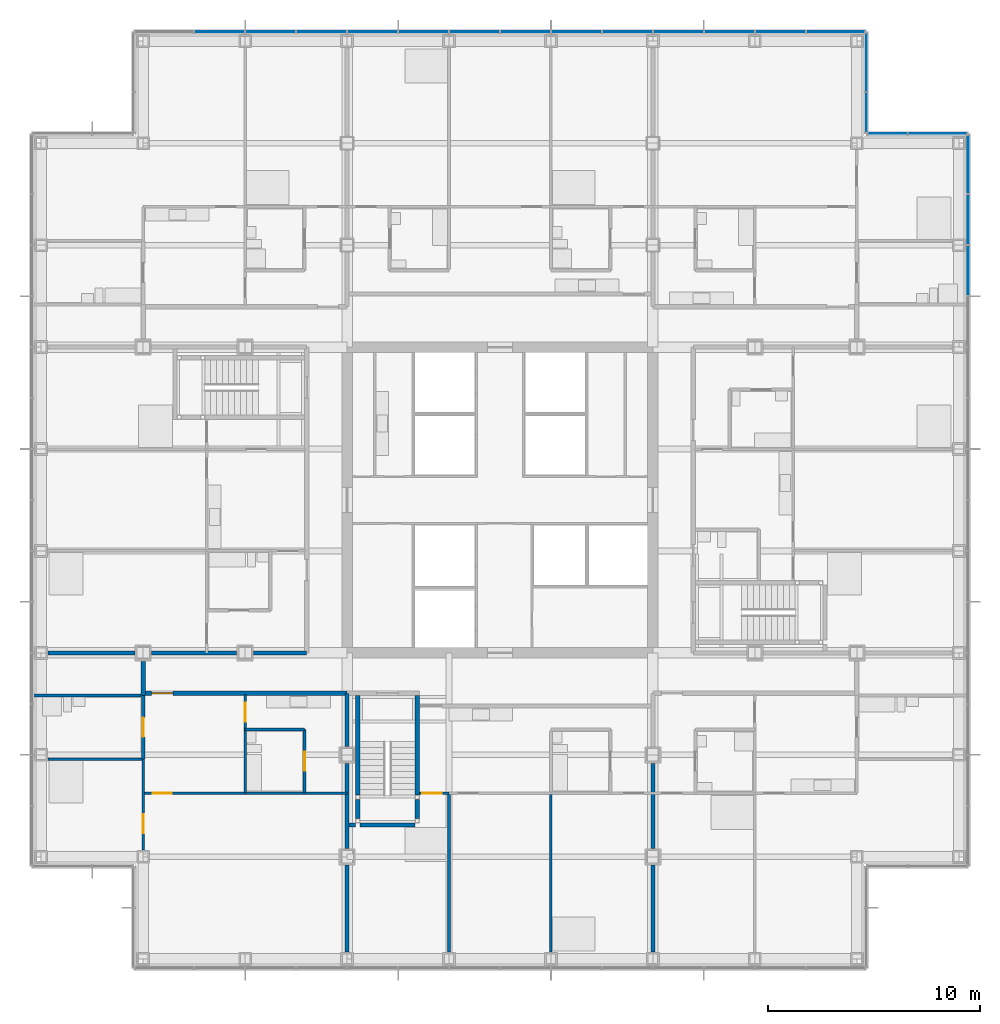
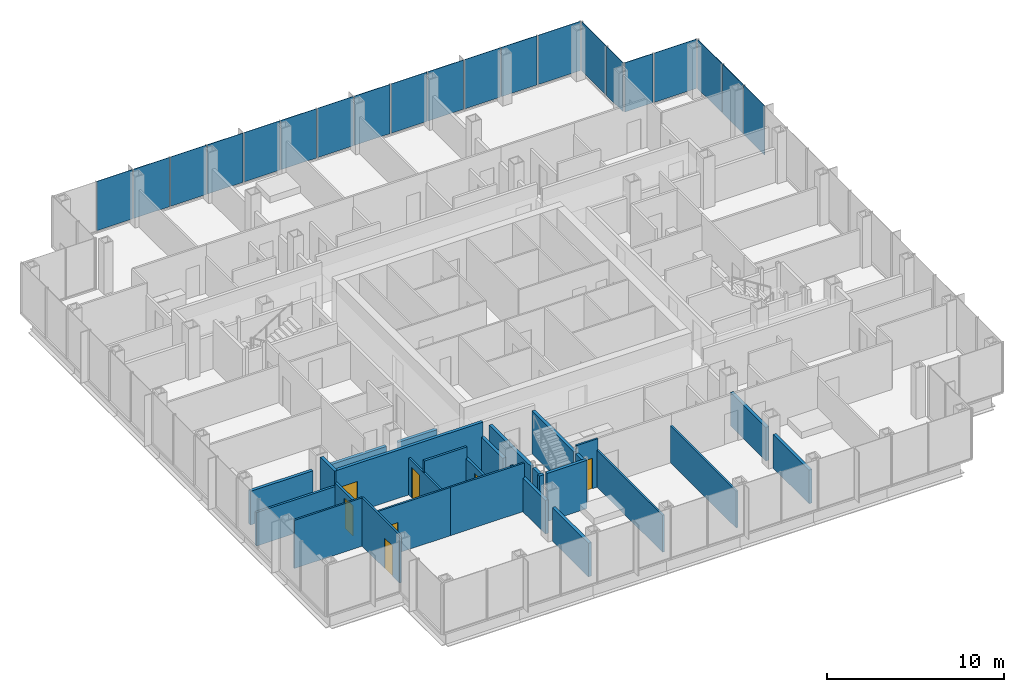
# One storey, part 13 of 21: 28 walls, 20 plates, 7 doors, 7 openings, 4 elements without a shape of their own.
"""IFC4 building model written with IfcOpenShell, lengths in metres."""

from ifc_helpers import new_model, si_unit, direction, frame, frame_2d, origin, origin_2d, place, context, subcontext, project, spatial, rectangle, extrude, material, layer, layer_set, type_object, element, fill, aggregate, save


model = new_model("IFC4")

# Units and contexts
model_context = context("Model", 3, precision=1e-05, world=origin(), true_north=direction((0.0, 1.0)))
body_context = subcontext(model_context, "Body", "Model", "MODEL_VIEW")
ifc_project = project(units=[si_unit("LENGTHUNIT", "METRE"), si_unit("AREAUNIT", "SQUARE_METRE"), si_unit("VOLUMEUNIT", "CUBIC_METRE"), si_unit("PLANEANGLEUNIT", "RADIAN"), si_unit("MASSUNIT", "GRAM", prefix="KILO")], contexts=[model_context])

# Site, building, storey
site_placement = place(None, origin())
site = spatial("IfcSite", under=ifc_project, at=site_placement, CompositionType="ELEMENT")
building_placement = place(site_placement, origin())
building = spatial("IfcBuilding", under=site, at=building_placement, Name="Kvirike Care Tower", CompositionType="ELEMENT")
storey_placement = place(building_placement, frame((0.0, 0.0, 65.5)))
storey = spatial("IfcBuildingStorey", under=building, at=storey_placement, Name="L17", CompositionType="ELEMENT", Elevation=65.5)

# Curtain wall, plates
ifc_material_1 = material(Name="Anodised aluminium stick system", Category="aluminium")
curtain_wall_type = type_object("IfcCurtainWallType", Name="CW-A STICK CURTAIN WALL", PredefinedType="NOTDEFINED", material=ifc_material_1)
curtain_wall_1_placement = place(storey_placement, origin())
curtain_wall_1 = element("IfcCurtainWall", 1, at=curtain_wall_1_placement, inside=storey, type_object=curtain_wall_type, Name="Curtain wall L17 face 7", PredefinedType="NOTDEFINED")
ifc_material_2 = material(Name="Tinted double glazed unit", Category="glass")
ifc_layer_1 = layer(ifc_material_2, 0.031982421875)
ifc_layer_set_1 = layer_set([ifc_layer_1], Name="TINTED VISION PANEL 32")
plate_type = type_object("IfcPlateType", Name="TINTED VISION PANEL 32", PredefinedType="CURTAIN_PANEL", material=ifc_layer_set_1)
plate_1_placement = place(storey_placement, frame((43.64990234375, 46.800048828125, 0.10009765625), z_axis=(0.0, 0.0, 1.0), x_axis=(0.0, 1.0, 0.0)))
plate_1 = element("IfcPlate", 2, at=plate_1_placement, type_object=plate_type, Name="CW-A panel L17 face 7.12", PredefinedType="CURTAIN_PANEL", context=body_context, shape_type="SweptSolid", body=[
    extrude(rectangle(XDim=2.3349609375, YDim=0.031982421875, at=origin_2d()), origin(), (0.0, 0.0, 1.0), 3.39990234375),
])
plate_2_placement = place(storey_placement, frame((43.64990234375, 49.199951171875, 0.10009765625), z_axis=(0.0, 0.0, 1.0), x_axis=(0.0, 1.0, 0.0)))
plate_2 = element("IfcPlate", 3, at=plate_2_placement, type_object=plate_type, Name="CW-A panel L17 face 7.13", PredefinedType="CURTAIN_PANEL", context=body_context, shape_type="SweptSolid", body=[
    extrude(rectangle(XDim=2.3349609375, YDim=0.031982421875, at=origin_2d()), origin(), (0.0, 0.0, 1.0), 3.39990234375),
])
plate_3_placement = place(storey_placement, frame((43.64990234375, 51.808837890625, 0.10009765625), z_axis=(0.0, 0.0, 1.0), x_axis=(0.0, 1.0, 0.0)))
plate_3 = element("IfcPlate", 4, at=plate_3_placement, type_object=plate_type, Name="CW-A panel L17 face 7.14", PredefinedType="CURTAIN_PANEL", context=body_context, shape_type="SweptSolid", body=[
    extrude(rectangle(XDim=2.75244140625, YDim=0.031982421875, at=origin_2d()), origin(), (0.0, 0.0, 1.0), 3.39990234375),
])
aggregate(curtain_wall_1, [plate_1, plate_2, plate_3])

curtain_wall_2_placement = place(storey_placement, origin())
curtain_wall_2 = element("IfcCurtainWall", 5, at=curtain_wall_2_placement, inside=storey, type_object=curtain_wall_type, Name="Curtain wall L17 face 8", PredefinedType="NOTDEFINED")
plate_4_placement = place(storey_placement, frame((42.208740234375, 53.25, 0.10009765625), z_axis=(0.0, 0.0, 1.0), x_axis=(-1.0, 0.0, 0.0)))
plate_4 = element("IfcPlate", 6, at=plate_4_placement, type_object=plate_type, Name="CW-A panel L17 face 8.1", PredefinedType="CURTAIN_PANEL", context=body_context, shape_type="SweptSolid", body=[
    extrude(rectangle(XDim=2.75244140625, YDim=0.031982421875, at=origin_2d()), origin(), (0.0, 0.0, 1.0), 3.39990234375),
])
plate_5_placement = place(storey_placement, frame((39.84130859375, 53.25, 0.10009765625), z_axis=(0.0, 0.0, 1.0), x_axis=(-1.0, 0.0, 0.0)))
plate_5 = element("IfcPlate", 7, at=plate_5_placement, type_object=plate_type, Name="CW-A panel L17 face 8.2", PredefinedType="CURTAIN_PANEL", context=body_context, shape_type="SweptSolid", body=[
    extrude(rectangle(XDim=1.8525390625, YDim=0.031982421875, at=origin_2d()), origin(), (0.0, 0.0, 1.0), 3.39990234375),
])
aggregate(curtain_wall_2, [plate_4, plate_5])

curtain_wall_3_placement = place(storey_placement, origin())
curtain_wall_3 = element("IfcCurtainWall", 8, at=curtain_wall_3_placement, inside=storey, type_object=curtain_wall_type, Name="Curtain wall L17 face 9", PredefinedType="NOTDEFINED")
plate_6_placement = place(storey_placement, frame((38.85009765625, 54.2412109375, 0.10009765625), z_axis=(0.0, 0.0, 1.0), x_axis=(0.0, 1.0, 0.0)))
plate_6 = element("IfcPlate", 9, at=plate_6_placement, type_object=plate_type, Name="CW-A panel L17 face 9.1", PredefinedType="CURTAIN_PANEL", context=body_context, shape_type="SweptSolid", body=[
    extrude(rectangle(XDim=1.8525390625, YDim=0.031982421875, at=origin_2d()), origin(), (0.0, 0.0, 1.0), 3.39990234375),
])
plate_7_placement = place(storey_placement, frame((38.85009765625, 56.608642578125, 0.10009765625), z_axis=(0.0, 0.0, 1.0), x_axis=(0.0, 1.0, 0.0)))
plate_7 = element("IfcPlate", 10, at=plate_7_placement, type_object=plate_type, Name="CW-A panel L17 face 9.2", PredefinedType="CURTAIN_PANEL", context=body_context, shape_type="SweptSolid", body=[
    extrude(rectangle(XDim=2.75244140625, YDim=0.031982421875, at=origin_2d()), origin(), (0.0, 0.0, 1.0), 3.39990234375),
])
aggregate(curtain_wall_3, [plate_6, plate_7])

curtain_wall_4_placement = place(storey_placement, origin())
curtain_wall_4 = element("IfcCurtainWall", 11, at=curtain_wall_4_placement, inside=storey, type_object=curtain_wall_type, Name="Curtain wall L17 face 10", PredefinedType="NOTDEFINED")
plate_8_placement = place(storey_placement, frame((37.40869140625, 58.050048828125, 0.10009765625), z_axis=(0.0, 0.0, 1.0), x_axis=(-1.0, 0.0, 0.0)))
plate_8 = element("IfcPlate", 12, at=plate_8_placement, type_object=plate_type, Name="CW-A panel L17 face 10.1", PredefinedType="CURTAIN_PANEL", context=body_context, shape_type="SweptSolid", body=[
    extrude(rectangle(XDim=2.75244140625, YDim=0.031982421875, at=origin_2d()), origin(), (0.0, 0.0, 1.0), 3.39990234375),
])
plate_9_placement = place(storey_placement, frame((34.800048828125, 58.050048828125, 0.10009765625), z_axis=(0.0, 0.0, 1.0), x_axis=(-1.0, 0.0, 0.0)))
plate_9 = element("IfcPlate", 13, at=plate_9_placement, type_object=plate_type, Name="CW-A panel L17 face 10.2", PredefinedType="CURTAIN_PANEL", context=body_context, shape_type="SweptSolid", body=[
    extrude(rectangle(XDim=2.3349609375, YDim=0.031982421875, at=origin_2d()), origin(), (0.0, 0.0, 1.0), 3.39990234375),
])
plate_10_placement = place(storey_placement, frame((32.39990234375, 58.050048828125, 0.10009765625), z_axis=(0.0, 0.0, 1.0), x_axis=(-1.0, 0.0, 0.0)))
plate_10 = element("IfcPlate", 14, at=plate_10_placement, type_object=plate_type, Name="CW-A panel L17 face 10.3", PredefinedType="CURTAIN_PANEL", context=body_context, shape_type="SweptSolid", body=[
    extrude(rectangle(XDim=2.3349609375, YDim=0.031982421875, at=origin_2d()), origin(), (0.0, 0.0, 1.0), 3.39990234375),
])
plate_11_placement = place(storey_placement, frame((30.0, 58.050048828125, 0.10009765625), z_axis=(0.0, 0.0, 1.0), x_axis=(-1.0, 0.0, 0.0)))
plate_11 = element("IfcPlate", 15, at=plate_11_placement, type_object=plate_type, Name="CW-A panel L17 face 10.4", PredefinedType="CURTAIN_PANEL", context=body_context, shape_type="SweptSolid", body=[
    extrude(rectangle(XDim=2.3349609375, YDim=0.031982421875, at=origin_2d()), origin(), (0.0, 0.0, 1.0), 3.39990234375),
])
plate_12_placement = place(storey_placement, frame((27.60009765625, 58.050048828125, 0.10009765625), z_axis=(0.0, 0.0, 1.0), x_axis=(-1.0, 0.0, 0.0)))
plate_12 = element("IfcPlate", 16, at=plate_12_placement, type_object=plate_type, Name="CW-A panel L17 face 10.5", PredefinedType="CURTAIN_PANEL", context=body_context, shape_type="SweptSolid", body=[
    extrude(rectangle(XDim=2.3349609375, YDim=0.031982421875, at=origin_2d()), origin(), (0.0, 0.0, 1.0), 3.39990234375),
])
plate_13_placement = place(storey_placement, frame((25.199951171875, 58.050048828125, 0.10009765625), z_axis=(0.0, 0.0, 1.0), x_axis=(-1.0, 0.0, 0.0)))
plate_13 = element("IfcPlate", 17, at=plate_13_placement, type_object=plate_type, Name="CW-A panel L17 face 10.6", PredefinedType="CURTAIN_PANEL", context=body_context, shape_type="SweptSolid", body=[
    extrude(rectangle(XDim=2.3349609375, YDim=0.031982421875, at=origin_2d()), origin(), (0.0, 0.0, 1.0), 3.39990234375),
])
plate_14_placement = place(storey_placement, frame((22.800048828125, 58.050048828125, 0.10009765625), z_axis=(0.0, 0.0, 1.0), x_axis=(-1.0, 0.0, 0.0)))
plate_14 = element("IfcPlate", 18, at=plate_14_placement, type_object=plate_type, Name="CW-A panel L17 face 10.7", PredefinedType="CURTAIN_PANEL", context=body_context, shape_type="SweptSolid", body=[
    extrude(rectangle(XDim=2.3349609375, YDim=0.031982421875, at=origin_2d()), origin(), (0.0, 0.0, 1.0), 3.39990234375),
])
plate_15_placement = place(storey_placement, frame((20.39990234375, 58.050048828125, 0.10009765625), z_axis=(0.0, 0.0, 1.0), x_axis=(-1.0, 0.0, 0.0)))
plate_15 = element("IfcPlate", 19, at=plate_15_placement, type_object=plate_type, Name="CW-A panel L17 face 10.8", PredefinedType="CURTAIN_PANEL", context=body_context, shape_type="SweptSolid", body=[
    extrude(rectangle(XDim=2.3349609375, YDim=0.031982421875, at=origin_2d()), origin(), (0.0, 0.0, 1.0), 3.39990234375),
])
plate_16_placement = place(storey_placement, frame((18.0, 58.050048828125, 0.10009765625), z_axis=(0.0, 0.0, 1.0), x_axis=(-1.0, 0.0, 0.0)))
plate_16 = element("IfcPlate", 20, at=plate_16_placement, type_object=plate_type, Name="CW-A panel L17 face 10.9", PredefinedType="CURTAIN_PANEL", context=body_context, shape_type="SweptSolid", body=[
    extrude(rectangle(XDim=2.3349609375, YDim=0.031982421875, at=origin_2d()), origin(), (0.0, 0.0, 1.0), 3.39990234375),
])
plate_17_placement = place(storey_placement, frame((15.60009765625, 58.050048828125, 0.10009765625), z_axis=(0.0, 0.0, 1.0), x_axis=(-1.0, 0.0, 0.0)))
plate_17 = element("IfcPlate", 21, at=plate_17_placement, type_object=plate_type, Name="CW-A panel L17 face 10.10", PredefinedType="CURTAIN_PANEL", context=body_context, shape_type="SweptSolid", body=[
    extrude(rectangle(XDim=2.3349609375, YDim=0.031982421875, at=origin_2d()), origin(), (0.0, 0.0, 1.0), 3.39990234375),
])
plate_18_placement = place(storey_placement, frame((13.199951171875, 58.050048828125, 0.10009765625), z_axis=(0.0, 0.0, 1.0), x_axis=(-1.0, 0.0, 0.0)))
plate_18 = element("IfcPlate", 22, at=plate_18_placement, type_object=plate_type, Name="CW-A panel L17 face 10.11", PredefinedType="CURTAIN_PANEL", context=body_context, shape_type="SweptSolid", body=[
    extrude(rectangle(XDim=2.3349609375, YDim=0.031982421875, at=origin_2d()), origin(), (0.0, 0.0, 1.0), 3.39990234375),
])
plate_19_placement = place(storey_placement, frame((10.800048828125, 58.050048828125, 0.10009765625), z_axis=(0.0, 0.0, 1.0), x_axis=(-1.0, 0.0, 0.0)))
plate_19 = element("IfcPlate", 23, at=plate_19_placement, type_object=plate_type, Name="CW-A panel L17 face 10.12", PredefinedType="CURTAIN_PANEL", context=body_context, shape_type="SweptSolid", body=[
    extrude(rectangle(XDim=2.3349609375, YDim=0.031982421875, at=origin_2d()), origin(), (0.0, 0.0, 1.0), 3.39990234375),
])
plate_20_placement = place(storey_placement, frame((8.39990234375, 58.050048828125, 0.10009765625), z_axis=(0.0, 0.0, 1.0), x_axis=(-1.0, 0.0, 0.0)))
plate_20 = element("IfcPlate", 24, at=plate_20_placement, type_object=plate_type, Name="CW-A panel L17 face 10.13", PredefinedType="CURTAIN_PANEL", context=body_context, shape_type="SweptSolid", body=[
    extrude(rectangle(XDim=2.3349609375, YDim=0.031982421875, at=origin_2d()), origin(), (0.0, 0.0, 1.0), 3.39990234375),
])
aggregate(curtain_wall_4, [plate_8, plate_9, plate_10, plate_11, plate_12, plate_13, plate_14, plate_15, plate_16, plate_17, plate_18, plate_19, plate_20])

# Wall, opening, door
ifc_material_3 = material(Name="Moisture-resistant board partition", Category="gypsum")
ifc_layer_2 = layer(ifc_material_3, 0.14990234375)
ifc_layer_set_2 = layer_set([ifc_layer_2], Name="BATHROOM WALL 150")
wall_type_1 = type_object("IfcWallType", Name="BATHROOM WALL 150", PredefinedType="PARTITIONING", material=ifc_layer_set_2)
wall_1_placement = place(storey_placement, frame((4.800048828125, 23.800048828125, 0.0), z_axis=(0.0, 0.0, 1.0), x_axis=(0.0, 1.0, 0.0)))
wall_1 = element("IfcWall", 25, at=wall_1_placement, inside=storey, type_object=wall_type_1, Name="Bathroom Wall 150 L17", PredefinedType="PARTITIONING", context=body_context, shape_type="SweptSolid", body=[
    extrude(rectangle(XDim=3.0, YDim=0.14990234375, at=frame_2d((1.5, 0.0))), origin(), (0.0, 0.0, 1.0), 2.550048828125),
])
opening_1_placement = place(wall_1_placement, frame((1.050048828125, 0.0, 0.0)))
opening_1 = element("IfcOpeningElement", 26, at=opening_1_placement, cuts=wall_1, Name="Opening 17-001", PredefinedType="OPENING", context=body_context, shape_type="SweptSolid", body=[
    extrude(rectangle(XDim=0.89990234375, YDim=2.10009765625, at=frame_2d((0.449951171875, 1.050048828125))), frame((0.0, 0.08544921875, 0.0), z_axis=(0.0, -1.0, 0.0), x_axis=(1.0, 0.0, 0.0)), (0.0, 0.0, 1.0), 0.1708984375),
])
ifc_material_4 = material(Name="Timber door set", Category="wood")
door_type_1 = type_object("IfcDoorType", Name="BATHROOM DOOR 900", OperationType="SINGLE_SWING_RIGHT", PredefinedType="DOOR", material=ifc_material_4)
door_1_placement = place(opening_1_placement, origin())
door_1 = element("IfcDoor", 27, at=door_1_placement, inside=storey, type_object=door_type_1, Name="Shower room door", OperationType="SINGLE_SWING_RIGHT", OverallHeight=2.10009765625, OverallWidth=0.89990234375, PredefinedType="DOOR", context=body_context, shape_type="SweptSolid", body=[
    extrude(rectangle(XDim=0.89990234375, YDim=2.10009765625, at=frame_2d((0.449951171875, 1.050048828125))), frame((0.0, 0.02197265625, 0.0), z_axis=(0.0, -1.0, 0.0), x_axis=(1.0, 0.0, 0.0)), (0.0, 0.0, 1.0), 0.0439453125),
])
fill(opening_1, door_1)

wall_2_placement = place(storey_placement, frame((12.39990234375, 22.199951171875, 0.0), z_axis=(0.0, 0.0, 1.0), x_axis=(0.0, 1.0, 0.0)))
wall_2 = element("IfcWall", 28, at=wall_2_placement, inside=storey, type_object=wall_type_1, Name="Bathroom Wall 150 L17", PredefinedType="PARTITIONING", context=body_context, shape_type="SweptSolid", body=[
    extrude(rectangle(XDim=3.0, YDim=0.14990234375, at=frame_2d((1.5, 0.0))), origin(), (0.0, 0.0, 1.0), 2.550048828125),
])
opening_2_placement = place(wall_2_placement, frame((1.050048828125, 0.0, 0.0)))
opening_2 = element("IfcOpeningElement", 29, at=opening_2_placement, cuts=wall_2, Name="Opening 17-002", PredefinedType="OPENING", context=body_context, shape_type="SweptSolid", body=[
    extrude(rectangle(XDim=0.89990234375, YDim=2.10009765625, at=frame_2d((0.449951171875, 1.050048828125))), frame((0.0, 0.08544921875, 0.0), z_axis=(0.0, -1.0, 0.0), x_axis=(1.0, 0.0, 0.0)), (0.0, 0.0, 1.0), 0.1708984375),
])
door_2_placement = place(opening_2_placement, origin())
door_2 = element("IfcDoor", 30, at=door_2_placement, inside=storey, type_object=door_type_1, Name="Bathroom door", OperationType="SINGLE_SWING_LEFT", OverallHeight=2.10009765625, OverallWidth=0.89990234375, PredefinedType="DOOR", context=body_context, shape_type="SweptSolid", body=[
    extrude(rectangle(XDim=0.89990234375, YDim=2.10009765625, at=frame_2d((0.449951171875, 1.050048828125))), frame((0.0, 0.02197265625, 0.0), z_axis=(0.0, -1.0, 0.0), x_axis=(1.0, 0.0, 0.0)), (0.0, 0.0, 1.0), 0.0439453125),
])
fill(opening_2, door_2)

# Walls
wall_3_placement = place(storey_placement, frame((9.60009765625, 25.199951171875, 0.0), z_axis=(0.0, 0.0, 1.0), x_axis=(1.0, 0.0, 0.0)))
element("IfcWall", 31, at=wall_3_placement, inside=storey, type_object=wall_type_1, Name="Bathroom Wall 150 L17", PredefinedType="PARTITIONING", context=body_context, shape_type="SweptSolid", body=[
    extrude(rectangle(XDim=2.7998046875, YDim=0.14990234375, at=frame_2d((1.39990234375, 0.0))), origin(), (0.0, 0.0, 1.0), 3.330078125),
])
wall_4_placement = place(storey_placement, frame((-0.429931640625, 26.800048828125, 0.0), z_axis=(0.0, 0.0, 1.0), x_axis=(1.0, 0.0, 0.0)))
element("IfcWall", 32, at=wall_4_placement, inside=storey, type_object=wall_type_1, Name="Bathroom Wall 150 L17", PredefinedType="PARTITIONING", context=body_context, shape_type="SweptSolid", body=[
    extrude(rectangle(XDim=5.1298828125, YDim=0.14990234375, at=frame_2d((2.56494140625, 0.0))), origin(), (0.0, 0.0, 1.0), 2.320068359375),
])

# Wall, opening, door
ifc_material_5 = material(Name="Plasterboard corridor wall", Category="gypsum")
ifc_layer_3 = layer(ifc_material_5, 0.199951171875)
ifc_layer_set_3 = layer_set([ifc_layer_3], Name="CORRIDOR WALL 200")
wall_type_2 = type_object("IfcWallType", Name="CORRIDOR WALL 200", PredefinedType="PARTITIONING", material=ifc_layer_set_3)
wall_5_placement = place(storey_placement, frame((4.800048828125, 26.89990234375, 0.0), z_axis=(0.0, 0.0, 1.0), x_axis=(1.0, 0.0, 0.0)))
wall_5 = element("IfcWall", 33, at=wall_5_placement, inside=storey, type_object=wall_type_2, Name="Corridor Wall 200 L17", PredefinedType="PARTITIONING", context=body_context, shape_type="SweptSolid", body=[
    extrude(rectangle(XDim=9.599853515625, YDim=0.199951171875, at=frame_2d((4.7998046875, 0.0))), origin(), (0.0, 0.0, 1.0), 3.330078125),
])
opening_3_placement = place(wall_5_placement, frame((0.39990234375, 0.0, 0.0)))
opening_3 = element("IfcOpeningElement", 34, at=opening_3_placement, cuts=wall_5, Name="Opening 17-006", PredefinedType="OPENING", context=body_context, shape_type="SweptSolid", body=[
    extrude(rectangle(XDim=1.0, YDim=2.10009765625, at=frame_2d((0.5, 1.050048828125))), frame((0.0, 0.110595703125, 0.0), z_axis=(0.0, -1.0, 0.0), x_axis=(1.0, 0.0, 0.0)), (0.0, 0.0, 1.0), 0.220947265625),
])
ifc_material_6 = material(Name="Timber door set", Category="wood")
door_type_2 = type_object("IfcDoorType", Name="FLAT ENTRANCE DOOR 1000", OperationType="SINGLE_SWING_LEFT", PredefinedType="DOOR", material=ifc_material_6)
door_3_placement = place(opening_3_placement, frame((1.0, 0.0, 0.0), z_axis=(0.0, 0.0, 1.0), x_axis=(-1.0, 0.0, 0.0)))
door_3 = element("IfcDoor", 35, at=door_3_placement, inside=storey, type_object=door_type_2, Name="One-bedroom apartment entrance", OperationType="SINGLE_SWING_LEFT", OverallHeight=2.10009765625, OverallWidth=1.0, PredefinedType="DOOR", context=body_context, shape_type="SweptSolid", body=[
    extrude(rectangle(XDim=1.0, YDim=2.10009765625, at=frame_2d((0.5, 1.050048828125))), frame((0.0, 0.02685546875, 0.0), z_axis=(0.0, -1.0, 0.0), x_axis=(1.0, 0.0, 0.0)), (0.0, 0.0, 1.0), 0.053955078125),
])
fill(opening_3, door_3)

# Wall
wall_6_placement = place(storey_placement, frame((4.800048828125, 26.800048828125, 0.0), z_axis=(0.0, 0.0, 1.0), x_axis=(0.0, 1.0, 0.0)))
element("IfcWall", 36, at=wall_6_placement, inside=storey, type_object=wall_type_2, Name="Corridor Wall 200 L17", PredefinedType="PARTITIONING", context=body_context, shape_type="SweptSolid", body=[
    extrude(rectangle(XDim=1.60498046875, YDim=0.199951171875, at=frame_2d((0.802490234375, 0.0))), origin(), (0.0, 0.0, 1.0), 3.330078125),
])

# Wall, opening, door
ifc_material_7 = material(Name="Plasterboard partition", Category="gypsum")
ifc_layer_4 = layer(ifc_material_7, 0.1201171875)
ifc_layer_set_4 = layer_set([ifc_layer_4], Name="PARTITION 120")
wall_type_3 = type_object("IfcWallType", Name="PARTITION 120", PredefinedType="PARTITIONING", material=ifc_layer_set_4)
wall_7_placement = place(storey_placement, frame((9.60009765625, 22.199951171875, 0.0), z_axis=(0.0, 0.0, 1.0), x_axis=(0.0, 1.0, 0.0)))
wall_7 = element("IfcWall", 37, at=wall_7_placement, inside=storey, type_object=wall_type_3, Name="Partition 120 L17", PredefinedType="PARTITIONING", context=body_context, shape_type="SweptSolid", body=[
    extrude(rectangle(XDim=4.650146484375, YDim=0.1201171875, at=frame_2d((2.3251953125, 0.0))), origin(), (0.0, 0.0, 1.0), 2.550048828125),
])
opening_4_placement = place(wall_7_placement, frame((3.35009765625, 0.0, 0.0)))
opening_4 = element("IfcOpeningElement", 38, at=opening_4_placement, cuts=wall_7, Name="Opening 17-003", PredefinedType="OPENING", context=body_context, shape_type="SweptSolid", body=[
    extrude(rectangle(XDim=0.89990234375, YDim=2.10009765625, at=frame_2d((0.449951171875, 1.050048828125))), frame((0.0, 0.070556640625, 0.0), z_axis=(0.0, -1.0, 0.0), x_axis=(1.0, 0.0, 0.0)), (0.0, 0.0, 1.0), 0.14111328125),
])
ifc_material_8 = material(Name="Timber door set", Category="wood")
door_type_3 = type_object("IfcDoorType", Name="INTERNAL DOOR 900", OperationType="SINGLE_SWING_LEFT", PredefinedType="DOOR", material=ifc_material_8)
door_4_placement = place(opening_4_placement, frame((0.89990234375, 0.0, 0.0), z_axis=(0.0, 0.0, 1.0), x_axis=(-1.0, 0.0, 0.0)))
door_4 = element("IfcDoor", 39, at=door_4_placement, inside=storey, type_object=door_type_3, Name="Hall door", OperationType="SINGLE_SWING_LEFT", OverallHeight=2.10009765625, OverallWidth=0.89990234375, PredefinedType="DOOR", context=body_context, shape_type="SweptSolid", body=[
    extrude(rectangle(XDim=0.89990234375, YDim=2.10009765625, at=frame_2d((0.449951171875, 1.050048828125))), frame((0.0, 0.02197265625, 0.0), z_axis=(0.0, -1.0, 0.0), x_axis=(1.0, 0.0, 0.0)), (0.0, 0.0, 1.0), 0.0439453125),
])
fill(opening_4, door_4)

# Wall
wall_8_placement = place(storey_placement, frame((0.320068359375, 23.800048828125, 0.0), z_axis=(0.0, 0.0, 1.0), x_axis=(1.0, 0.0, 0.0)))
element("IfcWall", 40, at=wall_8_placement, inside=storey, type_object=wall_type_3, Name="Partition 120 L17", PredefinedType="PARTITIONING", context=body_context, shape_type="SweptSolid", body=[
    extrude(rectangle(XDim=4.47998046875, YDim=0.1201171875, at=frame_2d((2.239990234375, 0.0))), origin(), (0.0, 0.0, 1.0), 3.330078125),
])

# Wall, opening, door
wall_9_placement = place(storey_placement, frame((4.800048828125, 22.199951171875, 0.0), z_axis=(0.0, 0.0, 1.0), x_axis=(1.0, 0.0, 0.0)))
wall_9 = element("IfcWall", 41, at=wall_9_placement, inside=storey, type_object=wall_type_3, Name="Partition 120 L17", PredefinedType="PARTITIONING", context=body_context, shape_type="SweptSolid", body=[
    extrude(rectangle(XDim=4.800048828125, YDim=0.1201171875, at=frame_2d((2.39990234375, 0.0))), origin(), (0.0, 0.0, 1.0), 3.330078125),
])
opening_5_placement = place(wall_9_placement, frame((0.449951171875, 0.0, 0.0)))
opening_5 = element("IfcOpeningElement", 42, at=opening_5_placement, cuts=wall_9, Name="Opening 17-004", PredefinedType="OPENING", context=body_context, shape_type="SweptSolid", body=[
    extrude(rectangle(XDim=0.89990234375, YDim=2.10009765625, at=frame_2d((0.449951171875, 1.050048828125))), frame((0.0, 0.070556640625, 0.0), z_axis=(0.0, -1.0, 0.0), x_axis=(1.0, 0.0, 0.0)), (0.0, 0.0, 1.0), 0.14111328125),
])
door_5_placement = place(opening_5_placement, origin())
door_5 = element("IfcDoor", 43, at=door_5_placement, inside=storey, type_object=door_type_3, Name="Apartment living and dining room door", OperationType="SINGLE_SWING_LEFT", OverallHeight=2.10009765625, OverallWidth=0.89990234375, PredefinedType="DOOR", context=body_context, shape_type="SweptSolid", body=[
    extrude(rectangle(XDim=0.89990234375, YDim=2.10009765625, at=frame_2d((0.449951171875, 1.050048828125))), frame((0.0, 0.02197265625, 0.0), z_axis=(0.0, -1.0, 0.0), x_axis=(1.0, 0.0, 0.0)), (0.0, 0.0, 1.0), 0.0439453125),
])
fill(opening_5, door_5)

# Wall
wall_10_placement = place(storey_placement, frame((9.60009765625, 22.199951171875, 0.0), z_axis=(0.0, 0.0, 1.0), x_axis=(1.0, 0.0, 0.0)))
element("IfcWall", 44, at=wall_10_placement, inside=storey, type_object=wall_type_3, Name="Partition 120 L17", PredefinedType="PARTITIONING", context=body_context, shape_type="SweptSolid", body=[
    extrude(rectangle(XDim=4.7998046875, YDim=0.1201171875, at=frame_2d((2.39990234375, 0.0))), origin(), (0.0, 0.0, 1.0), 3.330078125),
])

# Wall, opening, door
wall_11_placement = place(storey_placement, frame((4.800048828125, 19.52001953125, 0.0), z_axis=(0.0, 0.0, 1.0), x_axis=(0.0, 1.0, 0.0)))
wall_11 = element("IfcWall", 45, at=wall_11_placement, inside=storey, type_object=wall_type_3, Name="Partition 120 L17", PredefinedType="PARTITIONING", context=body_context, shape_type="SweptSolid", body=[
    extrude(rectangle(XDim=4.280029296875, YDim=0.1201171875, at=frame_2d((2.14013671875, 0.0))), origin(), (0.0, 0.0, 1.0), 3.330078125),
])
opening_6_placement = place(wall_11_placement, frame((0.780029296875, 0.0, 0.0)))
opening_6 = element("IfcOpeningElement", 46, at=opening_6_placement, cuts=wall_11, Name="Opening 17-005", PredefinedType="OPENING", context=body_context, shape_type="SweptSolid", body=[
    extrude(rectangle(XDim=0.89990234375, YDim=2.10009765625, at=frame_2d((0.449951171875, 1.050048828125))), frame((0.0, 0.070556640625, 0.0), z_axis=(0.0, -1.0, 0.0), x_axis=(1.0, 0.0, 0.0)), (0.0, 0.0, 1.0), 0.14111328125),
])
door_6_placement = place(opening_6_placement, origin())
door_6 = element("IfcDoor", 47, at=door_6_placement, inside=storey, type_object=door_type_3, Name="Connecting door", OperationType="SINGLE_SWING_RIGHT", OverallHeight=2.10009765625, OverallWidth=0.89990234375, PredefinedType="DOOR", context=body_context, shape_type="SweptSolid", body=[
    extrude(rectangle(XDim=0.89990234375, YDim=2.10009765625, at=frame_2d((0.449951171875, 1.050048828125))), frame((0.0, 0.02197265625, 0.0), z_axis=(0.0, -1.0, 0.0), x_axis=(1.0, 0.0, 0.0)), (0.0, 0.0, 1.0), 0.0439453125),
])
fill(opening_6, door_6)

wall_12_placement = place(storey_placement, frame((17.800048828125, 22.199951171875, 0.0), z_axis=(0.0, 0.0, 1.0), x_axis=(1.0, 0.0, 0.0)))
wall_12 = element("IfcWall", 48, at=wall_12_placement, inside=storey, type_object=wall_type_3, Name="Partition 120 L17", PredefinedType="PARTITIONING", context=body_context, shape_type="SweptSolid", body=[
    extrude(rectangle(XDim=1.39990234375, YDim=0.1201171875, at=frame_2d((0.699951171875, 0.0))), origin(), (0.0, 0.0, 1.0), 3.330078125),
])
opening_7_placement = place(wall_12_placement, frame((0.14990234375, 0.0, 0.0)))
opening_7 = element("IfcOpeningElement", 49, at=opening_7_placement, cuts=wall_12, Name="Opening 17-023", PredefinedType="OPENING", context=body_context, shape_type="SweptSolid", body=[
    extrude(rectangle(XDim=0.89990234375, YDim=2.10009765625, at=frame_2d((0.449951171875, 1.050048828125))), frame((0.0, 0.070556640625, 0.0), z_axis=(0.0, -1.0, 0.0), x_axis=(1.0, 0.0, 0.0)), (0.0, 0.0, 1.0), 0.14111328125),
])
door_7_placement = place(opening_7_placement, frame((0.89990234375, 0.0, 0.0), z_axis=(0.0, 0.0, 1.0), x_axis=(-1.0, 0.0, 0.0)))
door_7 = element("IfcDoor", 50, at=door_7_placement, inside=storey, type_object=door_type_3, Name="Apartment bedroom door", OperationType="SINGLE_SWING_LEFT", OverallHeight=2.10009765625, OverallWidth=0.89990234375, PredefinedType="DOOR", context=body_context, shape_type="SweptSolid", body=[
    extrude(rectangle(XDim=0.89990234375, YDim=2.10009765625, at=frame_2d((0.449951171875, 1.050048828125))), frame((0.0, 0.02197265625, 0.0), z_axis=(0.0, -1.0, 0.0), x_axis=(1.0, 0.0, 0.0)), (0.0, 0.0, 1.0), 0.0439453125),
])
fill(opening_7, door_7)

# Walls
for number, where, z_axis, x_axis, name in (
    (51, (19.199951171875, 14.719970703125, 0.0), (0.0, 0.0, 1.0), (0.0, 1.0, 0.0), "Partition 120 L17"),
    (52, (24.0, 14.719970703125, 0.0), (0.0, 0.0, 1.0), (0.0, 1.0, 0.0), "Partition 120 L17"),
):
    element("IfcWall", number, at=place(storey_placement, frame(where, z_axis=z_axis, x_axis=x_axis)), inside=storey, type_object=wall_type_3, Name=name, PredefinedType="PARTITIONING", context=body_context, shape_type="SweptSolid", body=[
        extrude(rectangle(XDim=7.47998046875, YDim=0.1201171875, at=frame_2d((3.739990234375, 0.0))), origin(), (0.0, 0.0, 1.0), 2.550048828125),
    ])
ifc_material_9 = material(Name="Plasterboard party wall", Category="gypsum")
ifc_layer_5 = layer(ifc_material_9, 0.199951171875)
ifc_layer_set_5 = layer_set([ifc_layer_5], Name="PARTY WALL 200")
wall_type_4 = type_object("IfcWallType", Name="PARTY WALL 200", PredefinedType="PARTITIONING", material=ifc_layer_set_5)
wall_13_placement = place(storey_placement, frame((12.5, 28.800048828125, 0.0), z_axis=(0.0, 0.0, 1.0), x_axis=(-1.0, 0.0, 0.0)))
element("IfcWall", 53, at=wall_13_placement, inside=storey, type_object=wall_type_4, Name="Party Wall 200 L17", PredefinedType="PARTITIONING", context=body_context, shape_type="SweptSolid", body=[
    extrude(rectangle(XDim=2.5048828125, YDim=0.199951171875, at=frame_2d((1.25244140625, 0.0))), origin(), (0.0, 0.0, 1.0), 2.320068359375),
])
wall_14_placement = place(storey_placement, frame((9.205078125, 28.800048828125, 0.0), z_axis=(0.0, 0.0, 1.0), x_axis=(-1.0, 0.0, 0.0)))
element("IfcWall", 54, at=wall_14_placement, inside=storey, type_object=wall_type_4, Name="Party Wall 200 L17", PredefinedType="PARTITIONING", context=body_context, shape_type="SweptSolid", body=[
    extrude(rectangle(XDim=4.010009765625, YDim=0.199951171875, at=frame_2d((2.0048828125, 0.0))), origin(), (0.0, 0.0, 1.0), 2.320068359375),
])
for number, where, z_axis, x_axis, name in (
    (55, (4.405029296875, 28.800048828125, 0.0), (0.0, 0.0, 1.0), (-1.0, 0.0, 0.0), "Party Wall 200 L17"),
    (56, (14.39990234375, 14.719970703125, 0.0), (0.0, 0.0, 1.0), (0.0, 1.0, 0.0), "Party Wall 200 L17"),
):
    element("IfcWall", number, at=place(storey_placement, frame(where, z_axis=z_axis, x_axis=x_axis)), inside=storey, type_object=wall_type_4, Name=name, PredefinedType="PARTITIONING", context=body_context, shape_type="SweptSolid", body=[
        extrude(rectangle(XDim=4.0849609375, YDim=0.199951171875, at=frame_2d((2.04248046875, 0.0))), origin(), (0.0, 0.0, 1.0), 2.320068359375),
    ])
wall_15_placement = place(storey_placement, frame((14.39990234375, 19.594970703125, 0.0), z_axis=(0.0, 0.0, 1.0), x_axis=(0.0, 1.0, 0.0)))
element("IfcWall", 57, at=wall_15_placement, inside=storey, type_object=wall_type_4, Name="Party Wall 200 L17", PredefinedType="PARTITIONING", context=body_context, shape_type="SweptSolid", body=[
    extrude(rectangle(XDim=4.010009765625, YDim=0.199951171875, at=frame_2d((2.0048828125, 0.0))), origin(), (0.0, 0.0, 1.0), 2.320068359375),
])
wall_16_placement = place(storey_placement, frame((14.39990234375, 24.39501953125, 0.0), z_axis=(0.0, 0.0, 1.0), x_axis=(0.0, 1.0, 0.0)))
element("IfcWall", 58, at=wall_16_placement, inside=storey, type_object=wall_type_4, Name="Party Wall 200 L17", PredefinedType="PARTITIONING", context=body_context, shape_type="SweptSolid", body=[
    extrude(rectangle(XDim=2.5048828125, YDim=0.199951171875, at=frame_2d((1.25244140625, 0.0))), origin(), (0.0, 0.0, 1.0), 2.320068359375),
])
wall_17_placement = place(storey_placement, frame((28.800048828125, 14.719970703125, 0.0), z_axis=(0.0, 0.0, 1.0), x_axis=(0.0, 1.0, 0.0)))
element("IfcWall", 59, at=wall_17_placement, inside=storey, type_object=wall_type_4, Name="Party Wall 200 L17", PredefinedType="PARTITIONING", context=body_context, shape_type="SweptSolid", body=[
    extrude(rectangle(XDim=4.0849609375, YDim=0.199951171875, at=frame_2d((2.04248046875, 0.0))), origin(), (0.0, 0.0, 1.0), 2.320068359375),
])
wall_18_placement = place(storey_placement, frame((28.800048828125, 19.594970703125, 0.0), z_axis=(0.0, 0.0, 1.0), x_axis=(0.0, 1.0, 0.0)))
element("IfcWall", 60, at=wall_18_placement, inside=storey, type_object=wall_type_4, Name="Party Wall 200 L17", PredefinedType="PARTITIONING", context=body_context, shape_type="SweptSolid", body=[
    extrude(rectangle(XDim=4.010009765625, YDim=0.199951171875, at=frame_2d((2.0048828125, 0.0))), origin(), (0.0, 0.0, 1.0), 2.320068359375),
])
ifc_material_10 = material(Name="Concrete C40/50", Category="concrete")
ifc_layer_6 = layer(ifc_material_10, 0.199951171875)
ifc_layer_set_6 = layer_set([ifc_layer_6], Name="STAIR WALL 200")
wall_type_5 = type_object("IfcWallType", Name="STAIR WALL 200", PredefinedType="SOLIDWALL", material=ifc_layer_set_6)
wall_19_placement = place(storey_placement, frame((14.89990234375, 21.0, 0.0), z_axis=(0.0, 0.0, 1.0), x_axis=(0.0, 1.0, 0.0)))
element("IfcWall", 61, at=wall_19_placement, inside=storey, type_object=wall_type_5, Name="Stair Wall 200 L17", PredefinedType="SOLIDWALL", context=body_context, shape_type="SweptSolid", body=[
    extrude(rectangle(XDim=0.89990234375, YDim=0.199951171875, at=frame_2d((0.449951171875, 0.0))), origin(), (0.0, 0.0, 1.0), 2.989990234375),
])
wall_20_placement = place(storey_placement, frame((14.89990234375, 22.10009765625, 0.0), z_axis=(0.0, 0.0, 1.0), x_axis=(0.0, 1.0, 0.0)))
element("IfcWall", 62, at=wall_20_placement, inside=storey, type_object=wall_type_5, Name="Stair Wall 200 L17", PredefinedType="SOLIDWALL", context=body_context, shape_type="SweptSolid", body=[
    extrude(rectangle(XDim=4.699951171875, YDim=0.199951171875, at=frame_2d((2.35009765625, 0.0))), origin(), (0.0, 0.0, 1.0), 2.989990234375),
])
wall_21_placement = place(storey_placement, frame((17.699951171875, 21.0, 0.0), z_axis=(0.0, 0.0, 1.0), x_axis=(0.0, 1.0, 0.0)))
element("IfcWall", 63, at=wall_21_placement, inside=storey, type_object=wall_type_5, Name="Stair Wall 200 L17", PredefinedType="SOLIDWALL", context=body_context, shape_type="SweptSolid", body=[
    extrude(rectangle(XDim=0.89990234375, YDim=0.199951171875, at=frame_2d((0.449951171875, 0.0))), origin(), (0.0, 0.0, 1.0), 2.989990234375),
])
wall_22_placement = place(storey_placement, frame((17.699951171875, 22.10009765625, 0.0), z_axis=(0.0, 0.0, 1.0), x_axis=(0.0, 1.0, 0.0)))
element("IfcWall", 64, at=wall_22_placement, inside=storey, type_object=wall_type_5, Name="Stair Wall 200 L17", PredefinedType="SOLIDWALL", context=body_context, shape_type="SweptSolid", body=[
    extrude(rectangle(XDim=4.699951171875, YDim=0.199951171875, at=frame_2d((2.35009765625, 0.0))), origin(), (0.0, 0.0, 1.0), 2.989990234375),
])
wall_23_placement = place(storey_placement, frame((14.5, 20.699951171875, 0.0), z_axis=(0.0, 0.0, 1.0), x_axis=(1.0, 0.0, 0.0)))
element("IfcWall", 65, at=wall_23_placement, inside=storey, type_object=wall_type_5, Name="Stair Wall 200 L17", PredefinedType="SOLIDWALL", context=body_context, shape_type="SweptSolid", body=[
    extrude(rectangle(XDim=0.300048828125, YDim=0.199951171875, at=frame_2d((0.14990234375, 0.0))), origin(), (0.0, 0.0, 1.0), 3.330078125),
])
wall_24_placement = place(storey_placement, frame((15.0, 20.699951171875, 0.0), z_axis=(0.0, 0.0, 1.0), x_axis=(1.0, 0.0, 0.0)))
element("IfcWall", 66, at=wall_24_placement, inside=storey, type_object=wall_type_5, Name="Stair Wall 200 L17", PredefinedType="SOLIDWALL", context=body_context, shape_type="SweptSolid", body=[
    extrude(rectangle(XDim=2.60009765625, YDim=0.199951171875, at=frame_2d((1.300048828125, 0.0))), origin(), (0.0, 0.0, 1.0), 3.330078125),
])

save(model, "model.ifc")
